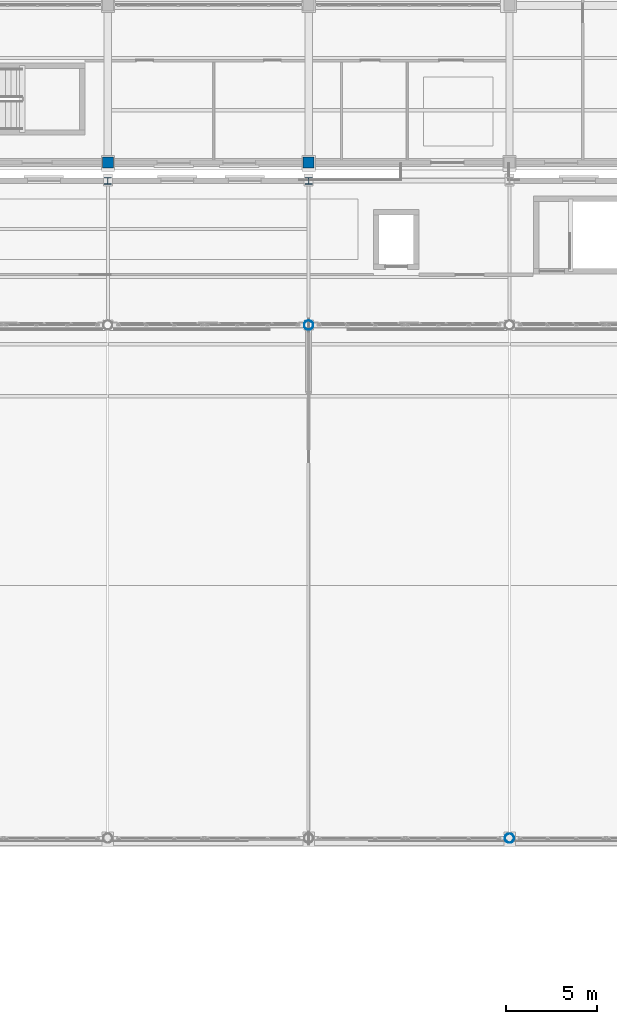
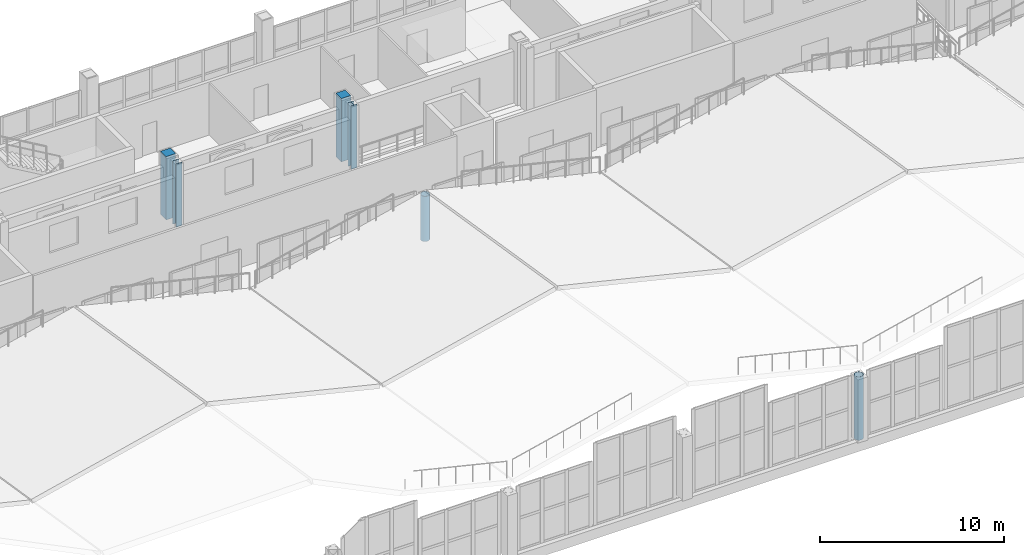
# One storey, part 4 of 120: 6 columns.
"""IFC4 building model written with IfcOpenShell, lengths in metres."""

from ifc_helpers import new_model, si_unit, direction, frame, origin, origin_2d, place, context, subcontext, project, spatial, rectangle, hollow_circle, i_section, extrude, material, material_profile, profile_set, type_object, element, save


model = new_model("IFC4")

# Units and contexts
model_context = context("Model", 3, precision=1e-05, world=origin(), true_north=direction((0.0, 1.0)))
body_context = subcontext(model_context, "Body", "Model", "MODEL_VIEW")
ifc_project = project(units=[si_unit("LENGTHUNIT", "METRE"), si_unit("AREAUNIT", "SQUARE_METRE"), si_unit("VOLUMEUNIT", "CUBIC_METRE"), si_unit("PLANEANGLEUNIT", "RADIAN"), si_unit("MASSUNIT", "GRAM", prefix="KILO")], contexts=[model_context])

# Site, building, storey
site_placement = place(None, origin())
site = spatial("IfcSite", under=ifc_project, at=site_placement, CompositionType="ELEMENT")
building_placement = place(site_placement, origin())
building = spatial("IfcBuilding", under=site, at=building_placement, Name="Caurita Quay Ferry Terminal", CompositionType="ELEMENT")
storey_placement = place(building_placement, frame((0.0, 0.0, 9.89990234375)))
storey = spatial("IfcBuildingStorey", under=building, at=storey_placement, Name="L02", CompositionType="ELEMENT", Elevation=9.89990234375)

# Columns
ifc_material_1 = material(Name="Hollow structural steel ASTM A500 Gr. C", Category="steel")
ifc_material_profile_1 = material_profile(ifc_material_1, hollow_circle(Radius=0.25390625, WallThickness=0.01171875, at=origin_2d()), Name="HSS20.000X0.500")
ifc_profile_set_1 = profile_set([ifc_material_profile_1], Name="Hollow structural steel ASTM A500 Gr. C")
column_type_1 = type_object("IfcColumnType", Name="COL-MST-01", PredefinedType="COLUMN", material=ifc_profile_set_1)
column_1_placement = place(storey_placement, frame((55.0, 62.699951171875, 0.0), z_axis=(0.0, 0.0, 1.0), x_axis=(1.0, 0.0, 0.0)))
element("IfcColumn", 1, at=column_1_placement, inside=storey, type_object=column_type_1, Name="L02 Column V1-MST-06-N", PredefinedType="COLUMN", context=body_context, shape_type="SweptSolid", body=[
    extrude(hollow_circle(Radius=0.25390625, WallThickness=0.01171875, at=origin_2d()), origin(), (0.0, 0.0, 1.0), 3.0),
])
column_2_placement = place(storey_placement, frame((66.0, 34.60009765625, 0.0), z_axis=(0.0, 0.0, 1.0), x_axis=(1.0, 0.0, 0.0)))
element("IfcColumn", 2, at=column_2_placement, inside=storey, type_object=column_type_1, Name="L02 Column V1-MST-07-S", PredefinedType="COLUMN", context=body_context, shape_type="SweptSolid", body=[
    extrude(hollow_circle(Radius=0.25390625, WallThickness=0.01171875, at=origin_2d()), origin(), (0.0, 0.0, 1.0), 4.2001953125),
])
ifc_material_2 = material(Name="Reinforced concrete C35/45", Category="concrete")
ifc_material_profile_2 = material_profile(ifc_material_2, rectangle(XDim=0.60009765625, YDim=0.60009765625, at=origin_2d()), Name="RC-COL-600X600")
ifc_profile_set_2 = profile_set([ifc_material_profile_2], Name="Reinforced concrete C35/45")
column_type_2 = type_object("IfcColumnType", Name="COL-RC-600", PredefinedType="COLUMN", material=ifc_profile_set_2)
for number, where, z_axis, x_axis, name in (
    (3, (44.0, 71.60009765625, 0.0), (0.0, 0.0, 1.0), (1.0, 0.0, 0.0), "L02 Column V5-05-L"),
    (4, (55.0, 71.60009765625, 0.0), (0.0, 0.0, 1.0), (1.0, 0.0, 0.0), "L02 Column V5-06-L"),
):
    element("IfcColumn", number, at=place(storey_placement, frame(where, z_axis=z_axis, x_axis=x_axis)), inside=storey, type_object=column_type_2, Name=name, PredefinedType="COLUMN", context=body_context, shape_type="SweptSolid", body=[
        extrude(rectangle(XDim=0.60009765625, YDim=0.60009765625, at=origin_2d()), origin(), (0.0, 0.0, 1.0), 4.2001953125),
    ])
ifc_material_3 = material(Name="Structural steel ASTM A992 Gr. 50", Category="steel")
ifc_material_profile_3 = material_profile(ifc_material_3, i_section(OverallWidth=0.370849609375, OverallDepth=0.36328125, WebThickness=0.01318359375, FlangeThickness=0.021728515625, FilletRadius=0.017822265625, at=origin_2d()), Name="W14X109")
ifc_profile_set_3 = profile_set([ifc_material_profile_3], Name="Structural steel ASTM A992 Gr. 50")
column_type_3 = type_object("IfcColumnType", Name="COL-STL-08", PredefinedType="COLUMN", material=ifc_profile_set_3)
for number, where, z_axis, x_axis, name in (
    (5, (44.0, 70.60009765625, 0.0), (0.0, 0.0, 1.0), (1.0, 0.0, 0.0), "L02 Column V1-NTH-05-K"),
    (6, (55.0, 70.60009765625, 0.0), (0.0, 0.0, 1.0), (1.0, 0.0, 0.0), "L02 Column V1-NTH-06-K"),
):
    element("IfcColumn", number, at=place(storey_placement, frame(where, z_axis=z_axis, x_axis=x_axis)), inside=storey, type_object=column_type_3, Name=name, PredefinedType="COLUMN", context=body_context, shape_type="SweptSolid", body=[
        extrude(i_section(OverallWidth=0.370849609375, OverallDepth=0.36328125, WebThickness=0.01318359375, FlangeThickness=0.021728515625, FilletRadius=0.017822265625, at=origin_2d()), origin(), (0.0, 0.0, 1.0), 4.2001953125),
    ])

save(model, "model.ifc")
